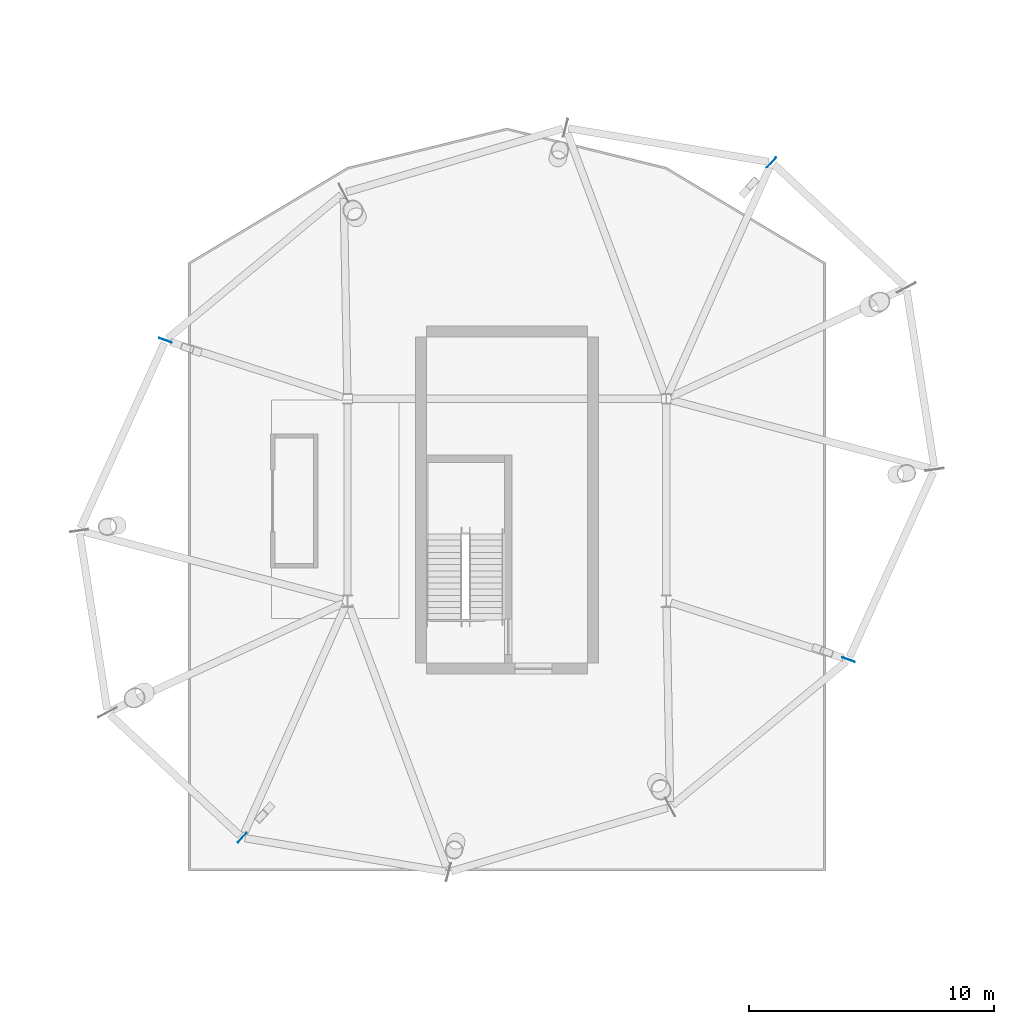
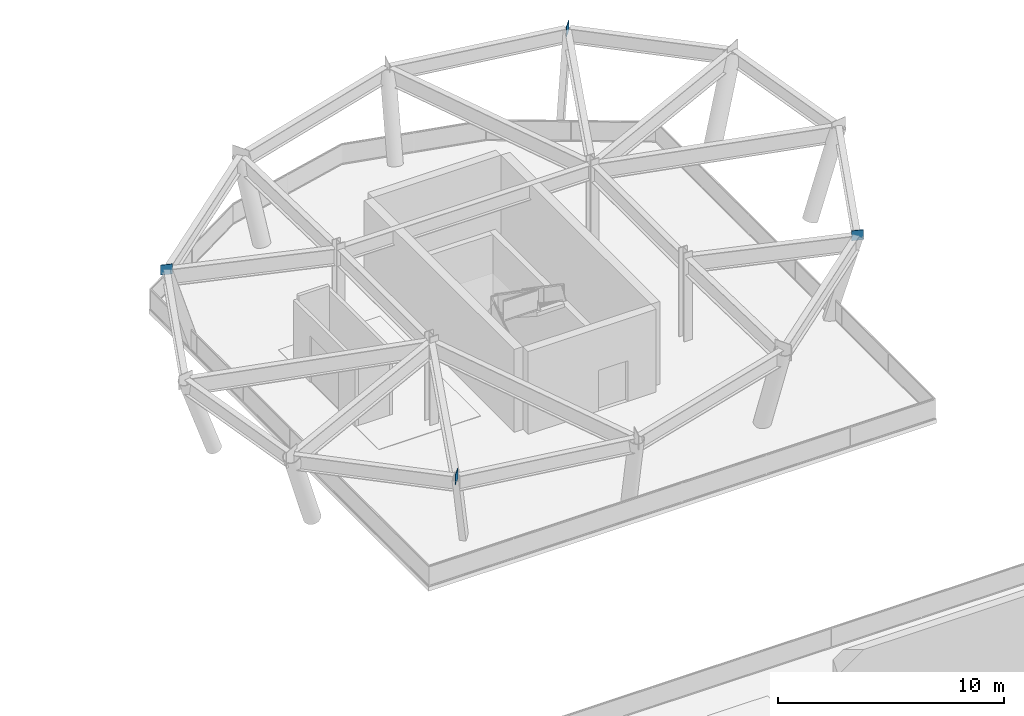
# One storey, part 62 of 91: 4 plates.
"""IFC4 building model written with IfcOpenShell, lengths in metres."""

from ifc_helpers import new_model, si_unit, direction, frame, origin, origin_2d, place, context, subcontext, project, spatial, rectangle, extrude, material, layer, layer_set, type_object, element, save


model = new_model("IFC4")

# Units and contexts
model_context = context("Model", 3, precision=1e-05, world=origin(), true_north=direction((0.0, 1.0)))
body_context = subcontext(model_context, "Body", "Model", "MODEL_VIEW")
ifc_project = project(units=[si_unit("LENGTHUNIT", "METRE"), si_unit("AREAUNIT", "SQUARE_METRE"), si_unit("VOLUMEUNIT", "CUBIC_METRE"), si_unit("PLANEANGLEUNIT", "RADIAN"), si_unit("MASSUNIT", "GRAM", prefix="KILO")], contexts=[model_context])

# Site, building, storey
site_placement = place(None, origin())
site = spatial("IfcSite", under=ifc_project, at=site_placement, CompositionType="ELEMENT")
building_placement = place(site_placement, origin())
building = spatial("IfcBuilding", under=site, at=building_placement, Name="Linyun Crest Stadium", CompositionType="ELEMENT")
storey_placement = place(building_placement, frame((0.0, 0.0, 11.39990234375)))
storey = spatial("IfcBuildingStorey", under=building, at=storey_placement, Name="L03", CompositionType="ELEMENT", Elevation=11.39990234375)

# Plates
ifc_material = material(Name="Steel Q420C", Category="steel")
ifc_layer = layer(ifc_material, 0.028076171875)
ifc_layer_set = layer_set([ifc_layer], Name="Steel Q420C")
plate_type = type_object("IfcPlateType", Name="EP03", PredefinedType="USERDEFINED", material=ifc_layer_set)
for number, where, z_axis, x_axis, name in (
    (1, (84.291015625, 98.39111328125, 4.1201171875), (0.0, 0.0, 1.0), (0.667702638429, 0.744428093663, 0.0), "Hollow section cap end plate EP03 407"),
    (2, (59.580078125, 91.133056640625, 4.135009765625), (0.0, 0.0, 1.0), (-0.941352819014, 0.337423873096, 0.0), "Hollow section cap end plate EP03 422"),
    (3, (62.708984375, 70.85888671875, 4.1201171875), (0.0, 0.0, 1.0), (-0.667702638429, -0.744428093663, 0.0), "Hollow section cap end plate EP03 437"),
    (4, (87.419921875, 78.116943359375, 4.135009765625), (0.0, 0.0, 1.0), (0.941352819014, -0.337423873096, 0.0), "Hollow section cap end plate EP03 452"),
):
    element("IfcPlate", number, at=place(storey_placement, frame(where, z_axis=z_axis, x_axis=x_axis)), inside=storey, type_object=plate_type, Name=name, ObjectType="END PLATE", PredefinedType="USERDEFINED", context=body_context, shape_type="SweptSolid", body=[
        extrude(rectangle(XDim=0.5400390625, YDim=0.028076171875, at=origin_2d()), origin(), (0.0, 0.0, 1.0), 0.5400390625),
    ])

save(model, "model.ifc")
